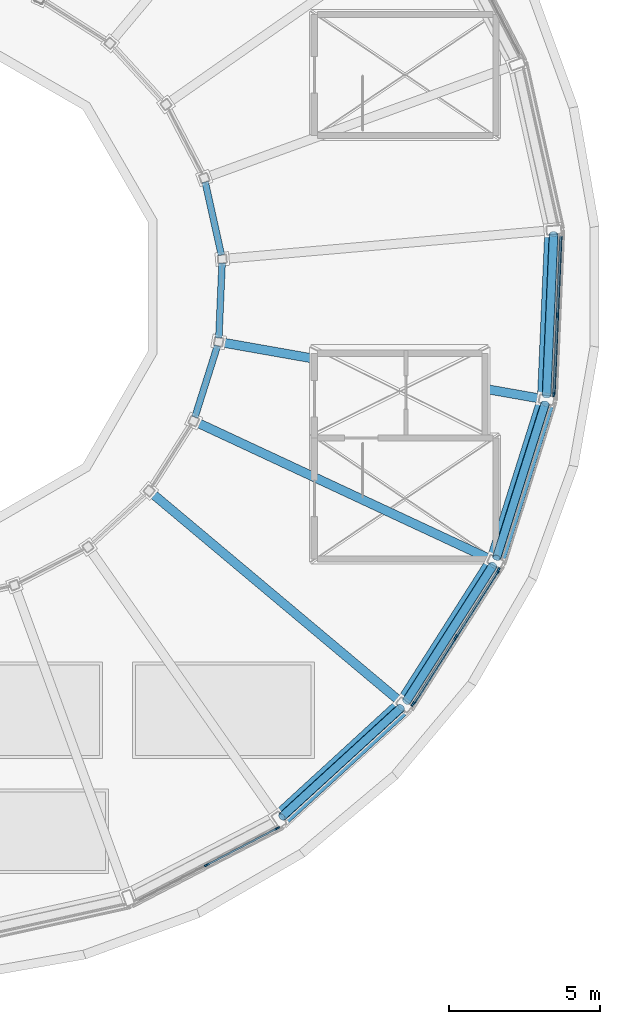
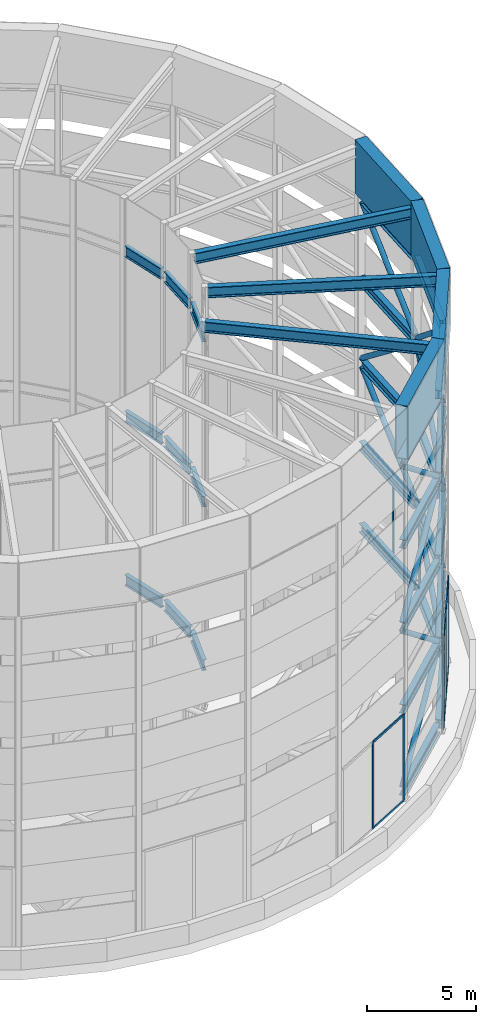
# One storey, part 8 of 20: 36 beams, 31 members, 3 elements without a shape of their own.
"""IFC4 building model written with IfcOpenShell, lengths in metres."""

import ifcopenshell
import ifcopenshell.guid

model = None  # the IFC model being written
_history = None  # IfcOwnerHistory: only IFC2X3 demands one
_inside = {}  # id of a spatial element -> (the spatial element, [elements in it])
_under = {}  # id of a project, library or spatial element -> (it, [spatial elements below it])
_declared = {}  # id of a project -> (the project, [libraries it declares])
_typed = {}  # id of a type object -> (the type object, [elements of that type])
_made_of = {}  # id of a material, layer set ... -> (it, [elements and type objects made of it])


def new_model(schema):
    """Start an empty IFC model of exactly this schema.

    Asked for "IFC4X3", IfcOpenShell would pick the latest addendum, in which some entities
    have other attributes; the version numbers below select the first issue.
    IFC2X3 requires an IfcOwnerHistory on every rooted entity: one is made here for all.
    """
    global model, _history
    if schema == "IFC4X3":
        model = ifcopenshell.file(schema_version=(4, 3, 0, 0))
    else:
        model = ifcopenshell.file(schema=schema)
    _inside.clear()
    _under.clear()
    _declared.clear()
    _typed.clear()
    _made_of.clear()
    _history = None
    if model.schema == "IFC2X3":
        org = make("IfcOrganization", Name="unknown")
        user = make(
            "IfcPersonAndOrganization",
            ThePerson=make("IfcPerson", FamilyName="unknown"),
            TheOrganization=org,
        )
        app = make(
            "IfcApplication",
            ApplicationDeveloper=org,
            Version="unknown",
            ApplicationFullName="unknown",
            ApplicationIdentifier="unknown",
        )
        _history = make(
            "IfcOwnerHistory",
            OwningUser=user,
            OwningApplication=app,
            ChangeAction="ADDED",
            CreationDate=0,
        )
    return model


def make(cls, **values):
    """One entity of the class cls with the attributes given. An attribute that is None is left unset."""
    return model.create_entity(
        cls, **{name: value for name, value in values.items() if value is not None}
    )


def rooted(cls, **values):
    """An entity with a GlobalId (a new one), such as an element, a storey or a relation."""
    return make(cls, GlobalId=ifcopenshell.guid.new(), OwnerHistory=_history, **values)


def si_unit(unit_type, name, prefix=None):
    """IfcSIUnit, for example si_unit("LENGTHUNIT", "METRE", prefix="MILLI")."""
    return make("IfcSIUnit", UnitType=unit_type, Prefix=prefix, Name=name)


def assignment(units):
    """IfcUnitAssignment: the units of a project."""
    return None if units is None else make("IfcUnitAssignment", Units=units)


def point(xyz):
    """IfcCartesianPoint."""
    return None if xyz is None else make("IfcCartesianPoint", Coordinates=xyz)


def direction(xyz):
    """IfcDirection."""
    return None if xyz is None else make("IfcDirection", DirectionRatios=xyz)


def frame(location, z_axis=None, x_axis=None):
    """IfcAxis2Placement3D, a coordinate frame: its origin and axes. An axis left out is left unset."""
    return make(
        "IfcAxis2Placement3D",
        Location=point(location),
        Axis=direction(z_axis),
        RefDirection=direction(x_axis),
    )


def frame_2d(location, x_axis=None):
    """IfcAxis2Placement2D, a coordinate frame in the plane: its origin and x axis."""
    return make(
        "IfcAxis2Placement2D", Location=point(location), RefDirection=direction(x_axis)
    )


def origin():
    """The frame at (0, 0, 0) with its axes left unset."""
    return frame((0.0, 0.0, 0.0))


def origin_2d():
    """The frame at (0, 0) in the plane with its x axis left unset."""
    return frame_2d((0.0, 0.0))


def place(relative_to, where):
    """IfcLocalPlacement: puts the frame where relative to a parent placement (None: the world)."""
    return make(
        "IfcLocalPlacement", PlacementRelTo=relative_to, RelativePlacement=where
    )


def context(
    kind, dimensions, precision=None, world=None, true_north=None, identifier=None
):
    """IfcGeometricRepresentationContext, for example the 3D "Model" context."""
    return make(
        "IfcGeometricRepresentationContext",
        ContextIdentifier=identifier,
        ContextType=kind,
        CoordinateSpaceDimension=dimensions,
        Precision=precision,
        WorldCoordinateSystem=world,
        TrueNorth=true_north,
    )


def subcontext(parent, identifier, kind, view, scale=None):
    """IfcGeometricRepresentationSubContext, for example "Body" below "Model"."""
    return make(
        "IfcGeometricRepresentationSubContext",
        ContextIdentifier=identifier,
        ContextType=kind,
        ParentContext=parent,
        TargetScale=scale,
        TargetView=view,
    )


def project(units=None, contexts=None):
    """IfcProject with its units and contexts."""
    return rooted(
        "IfcProject",
        Name="project",
        RepresentationContexts=contexts,
        UnitsInContext=assignment(units),
    )


def spatial(cls, under=None, at=None, **own):
    """A site, building, storey or space (cls), placed at a placement, below another one or the project."""
    s = rooted(cls, ObjectPlacement=at, **own)
    if under is not None:
        _under.setdefault(under.id(), (under, []))[1].append(s)
    return s


def profile(cls, at=None, kind="AREA", **sizes):
    """A parametric profile (cls). Its sizes go by their IFC names, for example OverallWidth=200.0."""
    return make(cls, ProfileType=kind, Position=at, **sizes)


def rectangle(**sizes):
    """IfcRectangleProfileDef."""
    return profile("IfcRectangleProfileDef", **sizes)


def hollow_rectangle(**sizes):
    """IfcRectangleHollowProfileDef."""
    return profile("IfcRectangleHollowProfileDef", **sizes)


def hollow_circle(**sizes):
    """IfcCircleHollowProfileDef."""
    return profile("IfcCircleHollowProfileDef", **sizes)


def i_section(**sizes):
    """IfcIShapeProfileDef."""
    return profile("IfcIShapeProfileDef", **sizes)


def extrude(swept, where, along, depth):
    """IfcExtrudedAreaSolid: the profile swept, set in the frame where, extruded along a direction by depth."""
    return make(
        "IfcExtrudedAreaSolid",
        SweptArea=swept,
        Position=where,
        ExtrudedDirection=direction(along),
        Depth=depth,
    )


def shape(context_of_items, identifier, shape_type, items):
    """IfcShapeRepresentation: the items that make up one representation, for example the "Body"."""
    return make(
        "IfcShapeRepresentation",
        ContextOfItems=context_of_items,
        RepresentationIdentifier=identifier,
        RepresentationType=shape_type,
        Items=items,
    )


def material(Name=None, Category=None):
    """IfcMaterial."""
    return make("IfcMaterial", Name=Name, Category=Category)


def layer(
    of_material, thickness, ventilated=None, Name=None, Category=None, Priority=None
):
    """IfcMaterialLayer: one layer of a wall or slab, of a material (None: an air gap)."""
    return make(
        "IfcMaterialLayer",
        Material=of_material,
        LayerThickness=thickness,
        IsVentilated=ventilated,
        Name=Name,
        Category=Category,
        Priority=Priority,
    )


def layer_set(layers, Name=None):
    """IfcMaterialLayerSet."""
    return make("IfcMaterialLayerSet", MaterialLayers=layers, LayerSetName=Name)


def material_profile(
    of_material, cross_section, Name=None, Category=None, Priority=None
):
    """IfcMaterialProfile: a cross section and its material."""
    return make(
        "IfcMaterialProfile",
        Name=Name,
        Material=of_material,
        Profile=cross_section,
        Priority=Priority,
        Category=Category,
    )


def profile_set(profiles, Name=None, composite=None):
    """IfcMaterialProfileSet."""
    return make(
        "IfcMaterialProfileSet",
        Name=Name,
        MaterialProfiles=profiles,
        CompositeProfile=composite,
    )


def made_of(thing, what):
    """Note that an element or type object is made of a material, layer set ...; save() writes the relation."""
    if what is not None:
        _made_of.setdefault(what.id(), (what, []))[1].append(thing)
    return thing


def type_object(cls, material=None, **own):
    """A type object (cls), such as IfcWallType, which elements share."""
    return made_of(rooted(cls, **own), material)


def element(
    cls,
    number,
    at=None,
    inside=None,
    cuts=None,
    type_object=None,
    material=None,
    context=None,
    identifier="Body",
    shape_type=None,
    held_by="IfcProductDefinitionShape",
    body=None,
    shapes=None,
    **own,
):
    """One element of the class cls, such as IfcWall. Its Tag is "e" and its number.

    at: its placement. inside: the storey or other place that contains it. cuts: it is an
    opening in that element (IfcRelVoidsElement). A single representation is given by context,
    identifier, shape_type and body (its items); several are given by shapes. held_by: the class
    of the entity that holds the representations. save() writes the other relations.
    """
    e = rooted(cls, Tag="e%d" % number, ObjectPlacement=at, **own)
    if body is not None:
        shapes = [shape(context, identifier, shape_type, body)]
    if shapes is not None:
        e.Representation = make(held_by, Representations=shapes)
    if inside is not None:
        _inside.setdefault(inside.id(), (inside, []))[1].append(e)
    if cuts is not None:
        rooted(
            "IfcRelVoidsElement", RelatingBuildingElement=cuts, RelatedOpeningElement=e
        )
    if type_object is not None:
        _typed.setdefault(type_object.id(), (type_object, []))[1].append(e)
    return made_of(e, material)


def aggregate(whole, parts):
    """IfcRelAggregates: a whole, such as a stair, and the parts it consists of."""
    return rooted("IfcRelAggregates", RelatingObject=whole, RelatedObjects=parts)


def save(model, path):
    """Write the relations noted so far, then the file.

    IfcRelAggregates (storeys below a building ...), IfcRelContainedInSpatialStructure (elements
    in a storey), IfcRelDefinesByType, IfcRelAssociatesMaterial and IfcRelDeclares: one each for
    every whole, place, type object, material and project.
    """
    for whole, parts in _under.values():
        aggregate(whole, parts)
    for where, things in _inside.values():
        rooted(
            "IfcRelContainedInSpatialStructure",
            RelatedElements=things,
            RelatingStructure=where,
        )
    for kind, things in _typed.values():
        rooted("IfcRelDefinesByType", RelatedObjects=things, RelatingType=kind)
    for what, things in _made_of.values():
        rooted("IfcRelAssociatesMaterial", RelatedObjects=things, RelatingMaterial=what)
    for by, libraries in _declared.values():
        rooted("IfcRelDeclares", RelatingContext=by, RelatedDefinitions=libraries)
    model.write(path)


model = new_model("IFC4")

# Units and contexts
model_context = context("Model", 3, precision=1e-05, world=origin(), true_north=direction((0.0, 1.0)))
body_context = subcontext(model_context, "Body", "Model", "MODEL_VIEW")
ifc_project = project(units=[si_unit("LENGTHUNIT", "METRE"), si_unit("AREAUNIT", "SQUARE_METRE"), si_unit("VOLUMEUNIT", "CUBIC_METRE"), si_unit("PLANEANGLEUNIT", "RADIAN"), si_unit("MASSUNIT", "GRAM", prefix="KILO")], contexts=[model_context])

# Site, building, storey
site_placement = place(None, origin())
site = spatial("IfcSite", under=ifc_project, at=site_placement, CompositionType="ELEMENT")
building_placement = place(site_placement, origin())
building = spatial("IfcBuilding", under=site, at=building_placement, Name="Saqina Gate Tower", CompositionType="ELEMENT")
storey_placement = place(building_placement, frame((0.0, 0.0, 284.199951171875)))
storey = spatial("IfcBuildingStorey", under=building, at=storey_placement, Name="RF", CompositionType="ELEMENT", Elevation=284.199951171875)

# Curtain wall, members
ifc_material_1 = material(Name="Aluminium glazing", Category="aluminium")
ifc_layer = layer(ifc_material_1, 0.159912109375)
ifc_layer_set = layer_set([ifc_layer], Name="CWT-5")
curtain_wall_type = type_object("IfcCurtainWallType", Name="CWT-5", PredefinedType="NOTDEFINED", material=ifc_layer_set)
curtain_wall_1_placement = place(storey_placement, origin())
curtain_wall_1 = element("IfcCurtainWall", 1, at=curtain_wall_1_placement, inside=storey, type_object=curtain_wall_type, Name="Crown glazing bay 20", PredefinedType="NOTDEFINED")
ifc_material_2 = material(Name="Aluminium", Category="aluminium")
ifc_material_profile_1 = material_profile(ifc_material_2, rectangle(XDim=0.06005859375, YDim=0.159912109375, at=origin_2d()), Name="Aluminium 60x160")
ifc_profile_set_1 = profile_set([ifc_material_profile_1], Name="Aluminium")
member_type_1 = type_object("IfcMemberType", Name="CWT-5M", PredefinedType="MULLION", material=ifc_profile_set_1)
member_1_placement = place(storey_placement, frame((9.948974609375, -19.111572265625, 0.0), z_axis=(0.0, 0.0, 1.0), x_axis=(-0.461751109849, 0.887009533519, 0.0)))
member_1 = element("IfcMember", 2, at=member_1_placement, type_object=member_type_1, Name="CW5-20 mullion 2", PredefinedType="MULLION", context=body_context, shape_type="SweptSolid", body=[
    extrude(rectangle(XDim=0.06005859375, YDim=0.159912109375, at=origin_2d()), origin(), (0.0, 0.0, 1.0), 4.875),
])
member_2_placement = place(storey_placement, frame((12.277587890625, -17.8994140625, 0.0), z_axis=(0.0, 0.0, 1.0), x_axis=(-0.461751109849, 0.887009533519, 0.0)))
member_2 = element("IfcMember", 3, at=member_2_placement, type_object=member_type_1, Name="CW5-20 mullion 3", PredefinedType="MULLION", context=body_context, shape_type="SweptSolid", body=[
    extrude(rectangle(XDim=0.06005859375, YDim=0.159912109375, at=origin_2d()), origin(), (0.0, 0.0, 1.0), 4.875),
])

curtain_wall_2_placement = place(storey_placement, origin())
curtain_wall_2 = element("IfcCurtainWall", 4, at=curtain_wall_2_placement, inside=storey, type_object=curtain_wall_type, Name="Crown glazing bay 22", PredefinedType="NOTDEFINED")
member_3_placement = place(storey_placement, frame((16.76123046875, -13.791015625, 0.0), z_axis=(0.0, 0.0, 1.0), x_axis=(-0.843394662537, 0.537294559068, 0.0)))
member_3 = element("IfcMember", 5, at=member_3_placement, type_object=member_type_1, Name="CW5-22 mullion 1", PredefinedType="MULLION", context=body_context, shape_type="SweptSolid", body=[
    extrude(rectangle(XDim=0.06005859375, YDim=0.159912109375, at=origin_2d()), origin(), (0.0, 0.0, 1.0), 4.875),
])
member_4_placement = place(storey_placement, frame((18.171875, -11.57666015625, 0.0), z_axis=(0.0, 0.0, 1.0), x_axis=(-0.843394662537, 0.537294559068, 0.0)))
member_4 = element("IfcMember", 6, at=member_4_placement, type_object=member_type_1, Name="CW5-22 mullion 2", PredefinedType="MULLION", context=body_context, shape_type="SweptSolid", body=[
    extrude(rectangle(XDim=0.06005859375, YDim=0.159912109375, at=origin_2d()), origin(), (0.0, 0.0, 1.0), 4.875),
])
member_5_placement = place(storey_placement, frame((19.582275390625, -9.362548828125, 0.0), z_axis=(0.0, 0.0, 1.0), x_axis=(-0.843394662537, 0.537294559068, 0.0)))
member_5 = element("IfcMember", 7, at=member_5_placement, type_object=member_type_1, Name="CW5-22 mullion 3", PredefinedType="MULLION", context=body_context, shape_type="SweptSolid", body=[
    extrude(rectangle(XDim=0.06005859375, YDim=0.159912109375, at=origin_2d()), origin(), (0.0, 0.0, 1.0), 4.875),
])

curtain_wall_3_placement = place(storey_placement, origin())
curtain_wall_3 = element("IfcCurtainWall", 8, at=curtain_wall_3_placement, inside=storey, type_object=curtain_wall_type, Name="Crown glazing bay 24", PredefinedType="NOTDEFINED")
member_6_placement = place(storey_placement, frame((21.410888671875, -3.562744140625, 0.0), z_axis=(0.0, 0.0, 1.0), x_axis=(-0.999047790721, 0.043629254589, 0.0)))
member_6 = element("IfcMember", 9, at=member_6_placement, type_object=member_type_1, Name="CW5-24 mullion 1", PredefinedType="MULLION", context=body_context, shape_type="SweptSolid", body=[
    extrude(rectangle(XDim=0.06005859375, YDim=0.159912109375, at=origin_2d()), origin(), (0.0, 0.0, 1.0), 4.875),
])
member_7_placement = place(storey_placement, frame((21.525634765625, -0.939697265625, 0.0), z_axis=(0.0, 0.0, 1.0), x_axis=(-0.999047790721, 0.043629254589, 0.0)))
member_7 = element("IfcMember", 10, at=member_7_placement, type_object=member_type_1, Name="CW5-24 mullion 2", PredefinedType="MULLION", context=body_context, shape_type="SweptSolid", body=[
    extrude(rectangle(XDim=0.06005859375, YDim=0.159912109375, at=origin_2d()), origin(), (0.0, 0.0, 1.0), 4.875),
])

# Member
ifc_material_3 = material(Name="Aluminium", Category="aluminium")
ifc_material_profile_2 = material_profile(ifc_material_3, rectangle(XDim=0.06005859375, YDim=0.1201171875, at=origin_2d()), Name="Aluminium 60x120")
ifc_profile_set_2 = profile_set([ifc_material_profile_2], Name="Aluminium")
member_type_2 = type_object("IfcMemberType", Name="CWT-5T", PredefinedType="USERDEFINED", material=ifc_profile_set_2)
member_8_placement = place(storey_placement, frame((9.9755859375, -19.09765625, 0.030029296875), z_axis=(0.88699855071, 0.461772206872, 0.0), x_axis=(-0.461772206872, 0.88699855071, 0.0)))
member_8 = element("IfcMember", 11, at=member_8_placement, type_object=member_type_2, Name="CW5-20 transom 2.1", ObjectType="TRANSOM", PredefinedType="USERDEFINED", context=body_context, shape_type="SweptSolid", body=[
    extrude(rectangle(XDim=0.06005859375, YDim=0.1201171875, at=origin_2d()), origin(), (0.0, 0.0, 1.0), 2.565185546875),
])

member_9_placement = place(storey_placement, frame((9.9755859375, -19.09765625, 4.844970703125), z_axis=(0.88699855071, 0.461772206872, 0.0), x_axis=(-0.461772206872, 0.88699855071, 0.0)))
member_9 = element("IfcMember", 12, at=member_9_placement, type_object=member_type_2, Name="CW5-20 transom 2.2", ObjectType="TRANSOM", PredefinedType="USERDEFINED", context=body_context, shape_type="SweptSolid", body=[
    extrude(rectangle(XDim=0.06005859375, YDim=0.1201171875, at=origin_2d()), origin(), (0.0, 0.0, 1.0), 2.565185546875),
])

aggregate(curtain_wall_1, [member_1, member_2, member_8, member_9])

member_10_placement = place(storey_placement, frame((16.77734375, -13.765625, 0.030029296875), z_axis=(0.537318789188, 0.843379225963, 0.0), x_axis=(-0.843379225963, 0.537318789188, 0.0)))
member_10 = element("IfcMember", 13, at=member_10_placement, type_object=member_type_2, Name="CW5-22 transom 1.1", ObjectType="TRANSOM", PredefinedType="USERDEFINED", context=body_context, shape_type="SweptSolid", body=[
    extrude(rectangle(XDim=0.06005859375, YDim=0.1201171875, at=origin_2d()), origin(), (0.0, 0.0, 1.0), 2.5654296875),
])

member_11_placement = place(storey_placement, frame((16.77734375, -13.765625, 4.844970703125), z_axis=(0.537318789188, 0.843379225963, 0.0), x_axis=(-0.843379225963, 0.537318789188, 0.0)))
member_11 = element("IfcMember", 14, at=member_11_placement, type_object=member_type_2, Name="CW5-22 transom 1.2", ObjectType="TRANSOM", PredefinedType="USERDEFINED", context=body_context, shape_type="SweptSolid", body=[
    extrude(rectangle(XDim=0.06005859375, YDim=0.1201171875, at=origin_2d()), origin(), (0.0, 0.0, 1.0), 2.5654296875),
])

member_12_placement = place(storey_placement, frame((18.18798828125, -11.551513671875, 0.030029296875), z_axis=(0.537207969155, 0.843449819418, 0.0), x_axis=(-0.843449819418, 0.537207969155, 0.0)))
member_12 = element("IfcMember", 15, at=member_12_placement, type_object=member_type_2, Name="CW5-22 transom 2.1", ObjectType="TRANSOM", PredefinedType="USERDEFINED", context=body_context, shape_type="SweptSolid", body=[
    extrude(rectangle(XDim=0.06005859375, YDim=0.1201171875, at=origin_2d()), origin(), (0.0, 0.0, 1.0), 2.5654296875),
])

member_13_placement = place(storey_placement, frame((18.18798828125, -11.551513671875, 4.844970703125), z_axis=(0.537207969155, 0.843449819418, 0.0), x_axis=(-0.843449819418, 0.537207969155, 0.0)))
member_13 = element("IfcMember", 16, at=member_13_placement, type_object=member_type_2, Name="CW5-22 transom 2.2", ObjectType="TRANSOM", PredefinedType="USERDEFINED", context=body_context, shape_type="SweptSolid", body=[
    extrude(rectangle(XDim=0.06005859375, YDim=0.1201171875, at=origin_2d()), origin(), (0.0, 0.0, 1.0), 2.5654296875),
])

aggregate(curtain_wall_2, [member_3, member_4, member_5, member_10, member_11, member_12, member_13])

member_14_placement = place(storey_placement, frame((21.412353515625, -3.53271484375, 0.030029296875), z_axis=(0.043585897781, 0.999049683206, 0.0), x_axis=(-0.999049683206, 0.043585897781, 0.0)))
member_14 = element("IfcMember", 17, at=member_14_placement, type_object=member_type_2, Name="CW5-24 transom 1.1", ObjectType="TRANSOM", PredefinedType="USERDEFINED", context=body_context, shape_type="SweptSolid", body=[
    extrude(rectangle(XDim=0.06005859375, YDim=0.1201171875, at=origin_2d()), origin(), (0.0, 0.0, 1.0), 2.5654296875),
])

member_15_placement = place(storey_placement, frame((21.412353515625, -3.53271484375, 4.844970703125), z_axis=(0.043585897781, 0.999049683206, 0.0), x_axis=(-0.999049683206, 0.043585897781, 0.0)))
member_15 = element("IfcMember", 18, at=member_15_placement, type_object=member_type_2, Name="CW5-24 transom 1.2", ObjectType="TRANSOM", PredefinedType="USERDEFINED", context=body_context, shape_type="SweptSolid", body=[
    extrude(rectangle(XDim=0.06005859375, YDim=0.1201171875, at=origin_2d()), origin(), (0.0, 0.0, 1.0), 2.5654296875),
])

member_16_placement = place(storey_placement, frame((21.52685546875, -0.909912109375, 0.030029296875), z_axis=(0.043585897781, 0.999049683206, 0.0), x_axis=(-0.999049683206, 0.043585897781, 0.0)))
member_16 = element("IfcMember", 19, at=member_16_placement, type_object=member_type_2, Name="CW5-24 transom 2.1", ObjectType="TRANSOM", PredefinedType="USERDEFINED", context=body_context, shape_type="SweptSolid", body=[
    extrude(rectangle(XDim=0.06005859375, YDim=0.1201171875, at=origin_2d()), origin(), (0.0, 0.0, 1.0), 2.5654296875),
])

member_17_placement = place(storey_placement, frame((21.52685546875, -0.909912109375, 4.844970703125), z_axis=(0.043585897781, 0.999049683206, 0.0), x_axis=(-0.999049683206, 0.043585897781, 0.0)))
member_17 = element("IfcMember", 20, at=member_17_placement, type_object=member_type_2, Name="CW5-24 transom 2.2", ObjectType="TRANSOM", PredefinedType="USERDEFINED", context=body_context, shape_type="SweptSolid", body=[
    extrude(rectangle(XDim=0.06005859375, YDim=0.1201171875, at=origin_2d()), origin(), (0.0, 0.0, 1.0), 2.5654296875),
])

aggregate(curtain_wall_3, [member_6, member_7, member_14, member_15, member_16, member_17])

# Beams
ifc_material_4 = material(Name="Steel S460", Category="steel")
ifc_material_profile_3 = material_profile(ifc_material_4, hollow_rectangle(XDim=0.60009765625, YDim=3.0, WallThickness=0.0400390625, at=origin_2d()), Name="BOX 600x3000x40")
ifc_profile_set_3 = profile_set([ifc_material_profile_3], Name="Steel S460")
beam_type_1 = type_object("IfcBeamType", Name="STR-CROWN CAP GIRDER-BOX 600x3000x40", PredefinedType="BEAM", material=ifc_profile_set_3)
beam_1_placement = place(storey_placement, frame((12.331787109375, -17.61181640625, 20.5), z_axis=(0.737273293966, 0.67559461958, 0.0), x_axis=(-0.67559461958, 0.737273293966, 0.0)))
element("IfcBeam", 21, at=beam_1_placement, inside=storey, type_object=beam_type_1, Name="CROWN CAP GIRDER 21", PredefinedType="BEAM", context=body_context, shape_type="SweptSolid", body=[
    extrude(hollow_rectangle(XDim=0.60009765625, YDim=3.0, WallThickness=0.0400390625, at=origin_2d()), origin(), (0.0, 0.0, 1.0), 5.61279296875),
])
for number, where, z_axis, x_axis, name in (
    (22, (16.469970703125, -13.81982421875, 20.5), (0.537294803616, 0.843394506745, 0.0), (-0.843394506745, 0.537294803616, 0.0), "CROWN CAP GIRDER 22"),
    (23, (19.485595703125, -9.086181640625, 20.5), (0.300708729492, 0.953716026922, 0.0), (-0.953716026922, 0.300708729492, 0.0), "CROWN CAP GIRDER 23"),
    (24, (21.17333984375, -3.7333984375, 20.5), (0.043629769301, 0.999047768243, 0.0), (-0.999047768243, 0.043629769301, 0.0), "CROWN CAP GIRDER 24"),
):
    element("IfcBeam", number, at=place(storey_placement, frame(where, z_axis=z_axis, x_axis=x_axis)), inside=storey, type_object=beam_type_1, Name=name, PredefinedType="BEAM", context=body_context, shape_type="SweptSolid", body=[
        extrude(hollow_rectangle(XDim=0.60009765625, YDim=3.0, WallThickness=0.0400390625, at=origin_2d()), origin(), (0.0, 0.0, 1.0), 5.612548828125),
    ])
ifc_material_5 = material(Name="Steel S460", Category="steel")
ifc_material_profile_4 = material_profile(ifc_material_5, i_section(OverallWidth=0.300048828125, OverallDepth=0.60009765625, WebThickness=0.015380859375, FlangeThickness=0.030029296875, FilletRadius=0.027099609375, at=origin_2d()), Name="HE 600 B")
ifc_profile_set_4 = profile_set([ifc_material_profile_4], Name="Steel S460")
beam_type_2 = type_object("IfcBeamType", Name="STR-CROWN DECK BEAM-HE 600 B", PredefinedType="BEAM", material=ifc_profile_set_4)
for number, where, z_axis, x_axis, name in (
    (25, (8.14453125, -6.834228515625, 21.400146484375), (0.766050628651, -0.642780237985, 0.0), (0.642780237985, 0.766050628651, 0.0), "CROWN DECK BEAM 22"),
    (26, (9.6357421875, -4.4931640625, 21.400146484375), (0.906305271723, -0.422623655806, 0.0), (0.422623655806, 0.906305271723, 0.0), "CROWN DECK BEAM 23"),
    (27, (10.470458984375, -1.84619140625, 21.400146484375), (0.984806342051, -0.173656179436, 0.0), (0.173656179436, 0.984806342051, 0.0), "CROWN DECK BEAM 24"),
):
    element("IfcBeam", number, at=place(storey_placement, frame(where, z_axis=z_axis, x_axis=x_axis)), inside=storey, type_object=beam_type_2, Name=name, PredefinedType="BEAM", context=body_context, shape_type="SweptSolid", body=[
        extrude(i_section(OverallWidth=0.300048828125, OverallDepth=0.60009765625, WebThickness=0.015380859375, FlangeThickness=0.030029296875, FilletRadius=0.027099609375, at=origin_2d()), origin(), (0.0, 0.0, 1.0), 10.568115234375),
    ])

# Members
ifc_material_6 = material(Name="Steel S460", Category="steel")
ifc_material_profile_5 = material_profile(ifc_material_6, hollow_circle(Radius=0.136474609375, WallThickness=0.012451171875, at=origin_2d()), Name="CHS 273x12.5")
ifc_profile_set_5 = profile_set([ifc_material_profile_5], Name="Steel S460")
member_type_3 = type_object("IfcMemberType", Name="STR-CROWN FRAME BRACE-CHS 273x12.5", PredefinedType="BRACE", material=ifc_profile_set_5)
member_18_placement = place(storey_placement, frame((16.373046875, -13.90869140625, 5.113037109375), z_axis=(-0.58261132659, -0.5338560336, 0.612830953459), x_axis=(0.675584094142, -0.73728293873, 0.0)))
element("IfcMember", 28, at=member_18_placement, inside=storey, type_object=member_type_3, Name="CROWN FRAME BRACE 2-21", PredefinedType="BRACE", context=body_context, shape_type="SweptSolid", body=[
    extrude(hollow_circle(Radius=0.136474609375, WallThickness=0.012451171875, at=origin_2d()), origin(), (0.0, 0.0, 1.0), 6.77001953125),
])
for number, where, z_axis, x_axis, name in (
    (29, (16.54052734375, -13.709228515625, 5.113037109375), (0.424579246373, 0.666474743627, 0.612816350676), (-0.843398322756, 0.537288813555, 0.0), "CROWN FRAME BRACE 2-22"),
    (30, (21.1337890625, -3.858642578125, 5.113037109375), (-0.237602179448, -0.753663006597, 0.612810963355), (0.953726695948, -0.300674889933, 0.0), "CROWN FRAME BRACE 2-23"),
    (31, (21.17919921875, -3.602294921875, 5.113037109375), (0.034437923072, 0.789475863672, 0.612814727413), (-0.999049948939, 0.043579806387, 0.0), "CROWN FRAME BRACE 2-24"),
):
    element("IfcMember", number, at=place(storey_placement, frame(where, z_axis=z_axis, x_axis=x_axis)), inside=storey, type_object=member_type_3, Name=name, PredefinedType="BRACE", context=body_context, shape_type="SweptSolid", body=[
        extrude(hollow_circle(Radius=0.136474609375, WallThickness=0.012451171875, at=origin_2d()), origin(), (0.0, 0.0, 1.0), 6.770263671875),
    ])
member_19_placement = place(storey_placement, frame((12.4287109375, -17.52294921875, 9.738037109375), z_axis=(0.58261132659, 0.5338560336, 0.612830953459), x_axis=(-0.675584094142, 0.73728293873, 0.0)))
element("IfcMember", 32, at=member_19_placement, inside=storey, type_object=member_type_3, Name="CROWN FRAME BRACE 3-21", PredefinedType="BRACE", context=body_context, shape_type="SweptSolid", body=[
    extrude(hollow_circle(Radius=0.136474609375, WallThickness=0.012451171875, at=origin_2d()), origin(), (0.0, 0.0, 1.0), 6.77001953125),
])
for number, where, z_axis, x_axis, name in (
    (33, (19.4150390625, -9.197021484375, 9.738037109375), (-0.424579246373, -0.666474743627, 0.612816350676), (0.843398322756, -0.537288813555, 0.0), "CROWN FRAME BRACE 3-22"),
    (34, (19.525146484375, -8.961181640625, 9.738037109375), (0.237602179448, 0.753663006597, 0.612810963355), (-0.953726695948, 0.300674889933, 0.0), "CROWN FRAME BRACE 3-23"),
    (35, (21.412353515625, 1.74267578125, 9.738037109375), (-0.034437923072, -0.789475863672, 0.612814727413), (0.999049948939, -0.043579806387, 0.0), "CROWN FRAME BRACE 3-24"),
):
    element("IfcMember", number, at=place(storey_placement, frame(where, z_axis=z_axis, x_axis=x_axis)), inside=storey, type_object=member_type_3, Name=name, PredefinedType="BRACE", context=body_context, shape_type="SweptSolid", body=[
        extrude(hollow_circle(Radius=0.136474609375, WallThickness=0.012451171875, at=origin_2d()), origin(), (0.0, 0.0, 1.0), 6.770263671875),
    ])
member_20_placement = place(storey_placement, frame((16.373046875, -13.90869140625, 14.363037109375), z_axis=(-0.58261132659, -0.5338560336, 0.612830953459), x_axis=(0.675584094142, -0.73728293873, 0.0)))
element("IfcMember", 36, at=member_20_placement, inside=storey, type_object=member_type_3, Name="CROWN FRAME BRACE 4-21", PredefinedType="BRACE", context=body_context, shape_type="SweptSolid", body=[
    extrude(hollow_circle(Radius=0.136474609375, WallThickness=0.012451171875, at=origin_2d()), origin(), (0.0, 0.0, 1.0), 6.77001953125),
])
for number, where, z_axis, x_axis, name in (
    (37, (16.54052734375, -13.709228515625, 14.363037109375), (0.424579246373, 0.666474743627, 0.612816350676), (-0.843398322756, 0.537288813555, 0.0), "CROWN FRAME BRACE 4-22"),
    (38, (21.1337890625, -3.858642578125, 14.363037109375), (-0.237602179448, -0.753663006597, 0.612810963355), (0.953726695948, -0.300674889933, 0.0), "CROWN FRAME BRACE 4-23"),
    (39, (21.17919921875, -3.602294921875, 14.363037109375), (0.034437923072, 0.789475863672, 0.612814727413), (-0.999049948939, 0.043579806387, 0.0), "CROWN FRAME BRACE 4-24"),
):
    element("IfcMember", number, at=place(storey_placement, frame(where, z_axis=z_axis, x_axis=x_axis)), inside=storey, type_object=member_type_3, Name=name, PredefinedType="BRACE", context=body_context, shape_type="SweptSolid", body=[
        extrude(hollow_circle(Radius=0.136474609375, WallThickness=0.012451171875, at=origin_2d()), origin(), (0.0, 0.0, 1.0), 6.770263671875),
    ])
ifc_material_7 = material(Name="Steel S460", Category="steel")
ifc_material_profile_6 = material_profile(ifc_material_7, hollow_circle(Radius=0.136474609375, WallThickness=0.02490234375, at=origin_2d()), Name="CHS 273x25")
ifc_profile_set_6 = profile_set([ifc_material_profile_6], Name="Steel S460")
member_type_4 = type_object("IfcMemberType", Name="STR-CROWN FRAME BRACE-CHS 273x25", PredefinedType="BRACE", material=ifc_profile_set_6)
member_21_placement = place(storey_placement, frame((12.4287109375, -17.52294921875, 0.512939453125), z_axis=(0.583925118672, 0.5350598822, 0.610526312491), x_axis=(-0.675584094142, 0.73728293873, 0.0)))
element("IfcMember", 40, at=member_21_placement, inside=storey, type_object=member_type_4, Name="CROWN FRAME BRACE 1-21", PredefinedType="BRACE", context=body_context, shape_type="SweptSolid", body=[
    extrude(hollow_circle(Radius=0.136474609375, WallThickness=0.02490234375, at=origin_2d()), origin(), (0.0, 0.0, 1.0), 6.7548828125),
])
member_22_placement = place(storey_placement, frame((19.525146484375, -8.961181640625, 0.512939453125), z_axis=(0.238137938735, 0.755362410009, 0.61050630765), x_axis=(-0.953726695948, 0.300674889933, 0.0)))
element("IfcMember", 41, at=member_22_placement, inside=storey, type_object=member_type_4, Name="CROWN FRAME BRACE 1-23", PredefinedType="BRACE", context=body_context, shape_type="SweptSolid", body=[
    extrude(hollow_circle(Radius=0.136474609375, WallThickness=0.02490234375, at=origin_2d()), origin(), (0.0, 0.0, 1.0), 6.755126953125),
])

# Beams
ifc_material_8 = material(Name="Steel S460", Category="steel")
ifc_material_profile_7 = material_profile(ifc_material_8, i_section(OverallWidth=0.219970703125, OverallDepth=0.60009765625, WebThickness=0.011962890625, FlangeThickness=0.01904296875, FilletRadius=0.02392578125, at=origin_2d()), Name="IPE 600")
ifc_profile_set_7 = profile_set([ifc_material_profile_7], Name="Steel S460")
beam_type_3 = type_object("IfcBeamType", Name="STR-CROWN RING BEAM INNER-IPE 600", PredefinedType="BEAM", material=ifc_profile_set_7)
beam_2_placement = place(storey_placement, frame((10.431640625, 1.043212890625, 0.324951171875), z_axis=(-0.216398540267, 0.976305112027, 0.0), x_axis=(-0.976305112027, -0.216398540267, 0.0)))
element("IfcBeam", 42, at=beam_2_placement, inside=storey, type_object=beam_type_3, Name="CROWN RING BEAM INNER 1-01", PredefinedType="BEAM", context=body_context, shape_type="SweptSolid", body=[
    extrude(i_section(OverallWidth=0.219970703125, OverallDepth=0.60009765625, WebThickness=0.011962890625, FlangeThickness=0.01904296875, FilletRadius=0.02392578125, at=origin_2d()), origin(), (0.0, 0.0, 1.0), 2.478759765625),
])
for number, where, z_axis, x_axis, name in (
    (43, (9.5556640625, -4.312255859375, 0.324951171875), (0.300730628861, 0.953709121727, 0.0), (-0.953709121727, 0.300730628861, 0.0), "CROWN RING BEAM INNER 1-23"),
    (44, (10.34619140625, -1.692138671875, 0.324951171875), (0.043638138376, 0.999047402719, 0.0), (-0.999047402719, 0.043638138376, 0.0), "CROWN RING BEAM INNER 1-24"),
):
    element("IfcBeam", number, at=place(storey_placement, frame(where, z_axis=z_axis, x_axis=x_axis)), inside=storey, type_object=beam_type_3, Name=name, PredefinedType="BEAM", context=body_context, shape_type="SweptSolid", body=[
        extrude(i_section(OverallWidth=0.219970703125, OverallDepth=0.60009765625, WebThickness=0.011962890625, FlangeThickness=0.01904296875, FilletRadius=0.02392578125, at=origin_2d()), origin(), (0.0, 0.0, 1.0), 2.478515625),
    ])
beam_3_placement = place(storey_placement, frame((10.431640625, 1.043212890625, 9.5), z_axis=(-0.216398540267, 0.976305112027, 0.0), x_axis=(-0.976305112027, -0.216398540267, 0.0)))
element("IfcBeam", 45, at=beam_3_placement, inside=storey, type_object=beam_type_3, Name="CROWN RING BEAM INNER 3-01", PredefinedType="BEAM", context=body_context, shape_type="SweptSolid", body=[
    extrude(i_section(OverallWidth=0.219970703125, OverallDepth=0.60009765625, WebThickness=0.011962890625, FlangeThickness=0.01904296875, FilletRadius=0.02392578125, at=origin_2d()), origin(), (0.0, 0.0, 1.0), 2.478759765625),
])
for number, where, z_axis, x_axis, name in (
    (46, (9.5556640625, -4.312255859375, 9.5), (0.300730628861, 0.953709121727, 0.0), (-0.953709121727, 0.300730628861, 0.0), "CROWN RING BEAM INNER 3-23"),
    (47, (10.34619140625, -1.692138671875, 9.5), (0.043638138376, 0.999047402719, 0.0), (-0.999047402719, 0.043638138376, 0.0), "CROWN RING BEAM INNER 3-24"),
):
    element("IfcBeam", number, at=place(storey_placement, frame(where, z_axis=z_axis, x_axis=x_axis)), inside=storey, type_object=beam_type_3, Name=name, PredefinedType="BEAM", context=body_context, shape_type="SweptSolid", body=[
        extrude(i_section(OverallWidth=0.219970703125, OverallDepth=0.60009765625, WebThickness=0.011962890625, FlangeThickness=0.01904296875, FilletRadius=0.02392578125, at=origin_2d()), origin(), (0.0, 0.0, 1.0), 2.478515625),
    ])
beam_4_placement = place(storey_placement, frame((10.431640625, 1.043212890625, 18.75), z_axis=(-0.216398540267, 0.976305112027, 0.0), x_axis=(-0.976305112027, -0.216398540267, 0.0)))
element("IfcBeam", 48, at=beam_4_placement, inside=storey, type_object=beam_type_3, Name="CROWN RING BEAM INNER 5-01", PredefinedType="BEAM", context=body_context, shape_type="SweptSolid", body=[
    extrude(i_section(OverallWidth=0.219970703125, OverallDepth=0.60009765625, WebThickness=0.011962890625, FlangeThickness=0.01904296875, FilletRadius=0.02392578125, at=origin_2d()), origin(), (0.0, 0.0, 1.0), 2.478759765625),
])
for number, where, z_axis, x_axis, name in (
    (49, (9.5556640625, -4.312255859375, 18.75), (0.300730628861, 0.953709121727, 0.0), (-0.953709121727, 0.300730628861, 0.0), "CROWN RING BEAM INNER 5-23"),
    (50, (10.34619140625, -1.692138671875, 18.75), (0.043638138376, 0.999047402719, 0.0), (-0.999047402719, 0.043638138376, 0.0), "CROWN RING BEAM INNER 5-24"),
):
    element("IfcBeam", number, at=place(storey_placement, frame(where, z_axis=z_axis, x_axis=x_axis)), inside=storey, type_object=beam_type_3, Name=name, PredefinedType="BEAM", context=body_context, shape_type="SweptSolid", body=[
        extrude(i_section(OverallWidth=0.219970703125, OverallDepth=0.60009765625, WebThickness=0.011962890625, FlangeThickness=0.01904296875, FilletRadius=0.02392578125, at=origin_2d()), origin(), (0.0, 0.0, 1.0), 2.478515625),
    ])
ifc_material_9 = material(Name="Steel S460", Category="steel")
ifc_material_profile_8 = material_profile(ifc_material_9, i_section(OverallWidth=0.300048828125, OverallDepth=0.5, WebThickness=0.014404296875, FlangeThickness=0.028076171875, FilletRadius=0.027099609375, at=origin_2d()), Name="HE 500 B")
ifc_profile_set_8 = profile_set([ifc_material_profile_8], Name="Steel S460")
beam_type_4 = type_object("IfcBeamType", Name="STR-CROWN RING BEAM-HE 500 B", PredefinedType="BEAM", material=ifc_profile_set_8)
beam_5_placement = place(storey_placement, frame((12.4287109375, -17.52294921875, 0.275146484375), z_axis=(0.73728293873, 0.675584094142, 0.0), x_axis=(-0.675584094142, 0.73728293873, 0.0)))
element("IfcBeam", 51, at=beam_5_placement, inside=storey, type_object=beam_type_4, Name="CROWN RING BEAM 1-21", PredefinedType="BEAM", context=body_context, shape_type="SweptSolid", body=[
    extrude(i_section(OverallWidth=0.300048828125, OverallDepth=0.5, WebThickness=0.014404296875, FlangeThickness=0.028076171875, FilletRadius=0.027099609375, at=origin_2d()), origin(), (0.0, 0.0, 1.0), 5.349853515625),
])
for number, where, z_axis, x_axis, name in (
    (52, (16.54052734375, -13.709228515625, 0.275146484375), (0.537288813555, 0.843398322756, 0.0), (-0.843398322756, 0.537288813555, 0.0), "CROWN RING BEAM 1-22"),
    (53, (19.525146484375, -8.961181640625, 0.275146484375), (0.300674889933, 0.953726695948, 0.0), (-0.953726695948, 0.300674889933, 0.0), "CROWN RING BEAM 1-23"),
    (54, (21.17919921875, -3.602294921875, 0.275146484375), (0.043579806387, 0.999049948939, 0.0), (-0.999049948939, 0.043579806387, 0.0), "CROWN RING BEAM 1-24"),
):
    element("IfcBeam", number, at=place(storey_placement, frame(where, z_axis=z_axis, x_axis=x_axis)), inside=storey, type_object=beam_type_4, Name=name, PredefinedType="BEAM", context=body_context, shape_type="SweptSolid", body=[
        extrude(i_section(OverallWidth=0.300048828125, OverallDepth=0.5, WebThickness=0.014404296875, FlangeThickness=0.028076171875, FilletRadius=0.027099609375, at=origin_2d()), origin(), (0.0, 0.0, 1.0), 5.35009765625),
    ])
beam_6_placement = place(storey_placement, frame((12.4287109375, -17.52294921875, 4.875), z_axis=(0.73728293873, 0.675584094142, 0.0), x_axis=(-0.675584094142, 0.73728293873, 0.0)))
element("IfcBeam", 55, at=beam_6_placement, inside=storey, type_object=beam_type_4, Name="CROWN RING BEAM 2-21", PredefinedType="BEAM", context=body_context, shape_type="SweptSolid", body=[
    extrude(i_section(OverallWidth=0.300048828125, OverallDepth=0.5, WebThickness=0.014404296875, FlangeThickness=0.028076171875, FilletRadius=0.027099609375, at=origin_2d()), origin(), (0.0, 0.0, 1.0), 5.349853515625),
])
for number, where, z_axis, x_axis, name in (
    (56, (16.54052734375, -13.709228515625, 4.875), (0.537288813555, 0.843398322756, 0.0), (-0.843398322756, 0.537288813555, 0.0), "CROWN RING BEAM 2-22"),
    (57, (19.525146484375, -8.961181640625, 4.875), (0.300674889933, 0.953726695948, 0.0), (-0.953726695948, 0.300674889933, 0.0), "CROWN RING BEAM 2-23"),
    (58, (21.17919921875, -3.602294921875, 4.875), (0.043579806387, 0.999049948939, 0.0), (-0.999049948939, 0.043579806387, 0.0), "CROWN RING BEAM 2-24"),
):
    element("IfcBeam", number, at=place(storey_placement, frame(where, z_axis=z_axis, x_axis=x_axis)), inside=storey, type_object=beam_type_4, Name=name, PredefinedType="BEAM", context=body_context, shape_type="SweptSolid", body=[
        extrude(i_section(OverallWidth=0.300048828125, OverallDepth=0.5, WebThickness=0.014404296875, FlangeThickness=0.028076171875, FilletRadius=0.027099609375, at=origin_2d()), origin(), (0.0, 0.0, 1.0), 5.35009765625),
    ])
beam_7_placement = place(storey_placement, frame((12.4287109375, -17.52294921875, 9.5), z_axis=(0.73728293873, 0.675584094142, 0.0), x_axis=(-0.675584094142, 0.73728293873, 0.0)))
element("IfcBeam", 59, at=beam_7_placement, inside=storey, type_object=beam_type_4, Name="CROWN RING BEAM 3-21", PredefinedType="BEAM", context=body_context, shape_type="SweptSolid", body=[
    extrude(i_section(OverallWidth=0.300048828125, OverallDepth=0.5, WebThickness=0.014404296875, FlangeThickness=0.028076171875, FilletRadius=0.027099609375, at=origin_2d()), origin(), (0.0, 0.0, 1.0), 5.349853515625),
])
for number, where, z_axis, x_axis, name in (
    (60, (16.54052734375, -13.709228515625, 9.5), (0.537288813555, 0.843398322756, 0.0), (-0.843398322756, 0.537288813555, 0.0), "CROWN RING BEAM 3-22"),
    (61, (19.525146484375, -8.961181640625, 9.5), (0.300674889933, 0.953726695948, 0.0), (-0.953726695948, 0.300674889933, 0.0), "CROWN RING BEAM 3-23"),
    (62, (21.17919921875, -3.602294921875, 9.5), (0.043579806387, 0.999049948939, 0.0), (-0.999049948939, 0.043579806387, 0.0), "CROWN RING BEAM 3-24"),
):
    element("IfcBeam", number, at=place(storey_placement, frame(where, z_axis=z_axis, x_axis=x_axis)), inside=storey, type_object=beam_type_4, Name=name, PredefinedType="BEAM", context=body_context, shape_type="SweptSolid", body=[
        extrude(i_section(OverallWidth=0.300048828125, OverallDepth=0.5, WebThickness=0.014404296875, FlangeThickness=0.028076171875, FilletRadius=0.027099609375, at=origin_2d()), origin(), (0.0, 0.0, 1.0), 5.35009765625),
    ])
beam_8_placement = place(storey_placement, frame((12.4287109375, -17.52294921875, 14.125), z_axis=(0.73728293873, 0.675584094142, 0.0), x_axis=(-0.675584094142, 0.73728293873, 0.0)))
element("IfcBeam", 63, at=beam_8_placement, inside=storey, type_object=beam_type_4, Name="CROWN RING BEAM 4-21", PredefinedType="BEAM", context=body_context, shape_type="SweptSolid", body=[
    extrude(i_section(OverallWidth=0.300048828125, OverallDepth=0.5, WebThickness=0.014404296875, FlangeThickness=0.028076171875, FilletRadius=0.027099609375, at=origin_2d()), origin(), (0.0, 0.0, 1.0), 5.349853515625),
])
for number, where, z_axis, x_axis, name in (
    (64, (16.54052734375, -13.709228515625, 14.125), (0.537288813555, 0.843398322756, 0.0), (-0.843398322756, 0.537288813555, 0.0), "CROWN RING BEAM 4-22"),
    (65, (19.525146484375, -8.961181640625, 14.125), (0.300674889933, 0.953726695948, 0.0), (-0.953726695948, 0.300674889933, 0.0), "CROWN RING BEAM 4-23"),
    (66, (21.17919921875, -3.602294921875, 14.125), (0.043579806387, 0.999049948939, 0.0), (-0.999049948939, 0.043579806387, 0.0), "CROWN RING BEAM 4-24"),
):
    element("IfcBeam", number, at=place(storey_placement, frame(where, z_axis=z_axis, x_axis=x_axis)), inside=storey, type_object=beam_type_4, Name=name, PredefinedType="BEAM", context=body_context, shape_type="SweptSolid", body=[
        extrude(i_section(OverallWidth=0.300048828125, OverallDepth=0.5, WebThickness=0.014404296875, FlangeThickness=0.028076171875, FilletRadius=0.027099609375, at=origin_2d()), origin(), (0.0, 0.0, 1.0), 5.35009765625),
    ])
beam_9_placement = place(storey_placement, frame((12.4287109375, -17.52294921875, 18.75), z_axis=(0.73728293873, 0.675584094142, 0.0), x_axis=(-0.675584094142, 0.73728293873, 0.0)))
element("IfcBeam", 67, at=beam_9_placement, inside=storey, type_object=beam_type_4, Name="CROWN RING BEAM 5-21", PredefinedType="BEAM", context=body_context, shape_type="SweptSolid", body=[
    extrude(i_section(OverallWidth=0.300048828125, OverallDepth=0.5, WebThickness=0.014404296875, FlangeThickness=0.028076171875, FilletRadius=0.027099609375, at=origin_2d()), origin(), (0.0, 0.0, 1.0), 5.349853515625),
])
for number, where, z_axis, x_axis, name in (
    (68, (16.54052734375, -13.709228515625, 18.75), (0.537288813555, 0.843398322756, 0.0), (-0.843398322756, 0.537288813555, 0.0), "CROWN RING BEAM 5-22"),
    (69, (19.525146484375, -8.961181640625, 18.75), (0.300674889933, 0.953726695948, 0.0), (-0.953726695948, 0.300674889933, 0.0), "CROWN RING BEAM 5-23"),
    (70, (21.17919921875, -3.602294921875, 18.75), (0.043579806387, 0.999049948939, 0.0), (-0.999049948939, 0.043579806387, 0.0), "CROWN RING BEAM 5-24"),
):
    element("IfcBeam", number, at=place(storey_placement, frame(where, z_axis=z_axis, x_axis=x_axis)), inside=storey, type_object=beam_type_4, Name=name, PredefinedType="BEAM", context=body_context, shape_type="SweptSolid", body=[
        extrude(i_section(OverallWidth=0.300048828125, OverallDepth=0.5, WebThickness=0.014404296875, FlangeThickness=0.028076171875, FilletRadius=0.027099609375, at=origin_2d()), origin(), (0.0, 0.0, 1.0), 5.35009765625),
    ])

save(model, "model.ifc")
